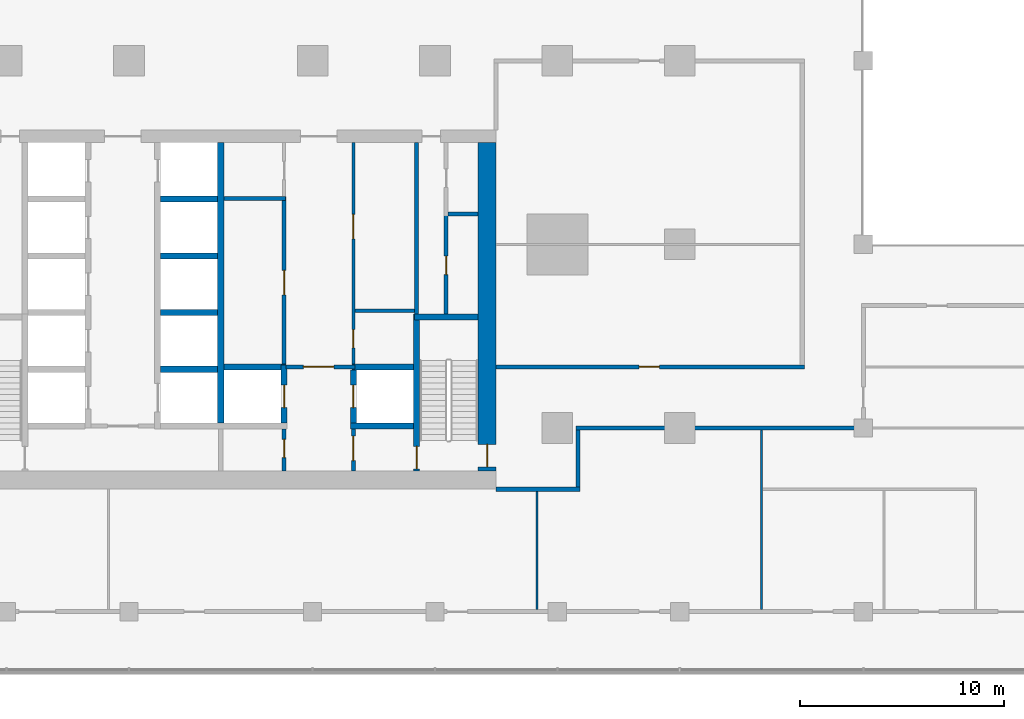
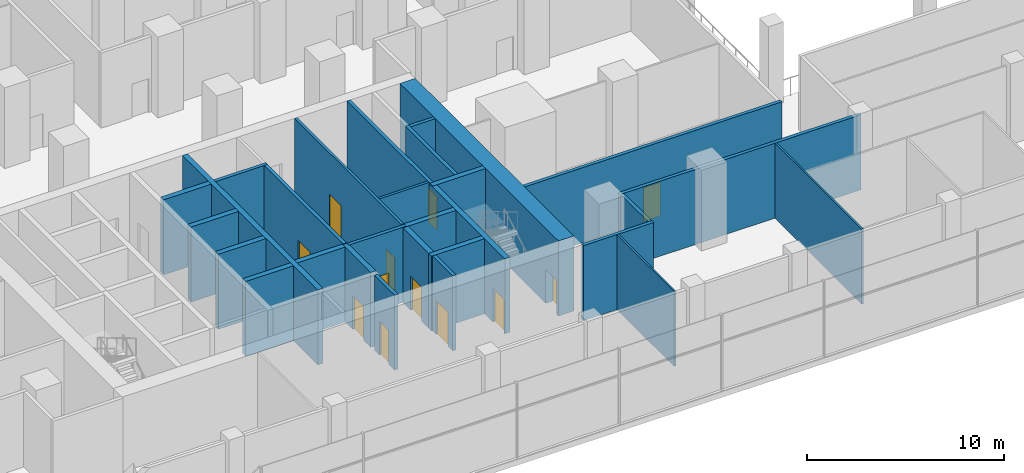
# One storey, part 14 of 22: 29 walls, 12 doors, 12 openings.
"""IFC4 building model written with IfcOpenShell, lengths in metres."""

import ifcopenshell
import ifcopenshell.guid

model = None  # the IFC model being written
_history = None  # IfcOwnerHistory: only IFC2X3 demands one
_inside = {}  # id of a spatial element -> (the spatial element, [elements in it])
_under = {}  # id of a project, library or spatial element -> (it, [spatial elements below it])
_declared = {}  # id of a project -> (the project, [libraries it declares])
_typed = {}  # id of a type object -> (the type object, [elements of that type])
_made_of = {}  # id of a material, layer set ... -> (it, [elements and type objects made of it])


def new_model(schema):
    """Start an empty IFC model of exactly this schema.

    Asked for "IFC4X3", IfcOpenShell would pick the latest addendum, in which some entities
    have other attributes; the version numbers below select the first issue.
    IFC2X3 requires an IfcOwnerHistory on every rooted entity: one is made here for all.
    """
    global model, _history
    if schema == "IFC4X3":
        model = ifcopenshell.file(schema_version=(4, 3, 0, 0))
    else:
        model = ifcopenshell.file(schema=schema)
    _inside.clear()
    _under.clear()
    _declared.clear()
    _typed.clear()
    _made_of.clear()
    _history = None
    if model.schema == "IFC2X3":
        org = make("IfcOrganization", Name="unknown")
        user = make(
            "IfcPersonAndOrganization",
            ThePerson=make("IfcPerson", FamilyName="unknown"),
            TheOrganization=org,
        )
        app = make(
            "IfcApplication",
            ApplicationDeveloper=org,
            Version="unknown",
            ApplicationFullName="unknown",
            ApplicationIdentifier="unknown",
        )
        _history = make(
            "IfcOwnerHistory",
            OwningUser=user,
            OwningApplication=app,
            ChangeAction="ADDED",
            CreationDate=0,
        )
    return model


def make(cls, **values):
    """One entity of the class cls with the attributes given. An attribute that is None is left unset."""
    return model.create_entity(
        cls, **{name: value for name, value in values.items() if value is not None}
    )


def rooted(cls, **values):
    """An entity with a GlobalId (a new one), such as an element, a storey or a relation."""
    return make(cls, GlobalId=ifcopenshell.guid.new(), OwnerHistory=_history, **values)


def si_unit(unit_type, name, prefix=None):
    """IfcSIUnit, for example si_unit("LENGTHUNIT", "METRE", prefix="MILLI")."""
    return make("IfcSIUnit", UnitType=unit_type, Prefix=prefix, Name=name)


def assignment(units):
    """IfcUnitAssignment: the units of a project."""
    return None if units is None else make("IfcUnitAssignment", Units=units)


def point(xyz):
    """IfcCartesianPoint."""
    return None if xyz is None else make("IfcCartesianPoint", Coordinates=xyz)


def direction(xyz):
    """IfcDirection."""
    return None if xyz is None else make("IfcDirection", DirectionRatios=xyz)


def frame(location, z_axis=None, x_axis=None):
    """IfcAxis2Placement3D, a coordinate frame: its origin and axes. An axis left out is left unset."""
    return make(
        "IfcAxis2Placement3D",
        Location=point(location),
        Axis=direction(z_axis),
        RefDirection=direction(x_axis),
    )


def frame_2d(location, x_axis=None):
    """IfcAxis2Placement2D, a coordinate frame in the plane: its origin and x axis."""
    return make(
        "IfcAxis2Placement2D", Location=point(location), RefDirection=direction(x_axis)
    )


def origin():
    """The frame at (0, 0, 0) with its axes left unset."""
    return frame((0.0, 0.0, 0.0))


def place(relative_to, where):
    """IfcLocalPlacement: puts the frame where relative to a parent placement (None: the world)."""
    return make(
        "IfcLocalPlacement", PlacementRelTo=relative_to, RelativePlacement=where
    )


def context(
    kind, dimensions, precision=None, world=None, true_north=None, identifier=None
):
    """IfcGeometricRepresentationContext, for example the 3D "Model" context."""
    return make(
        "IfcGeometricRepresentationContext",
        ContextIdentifier=identifier,
        ContextType=kind,
        CoordinateSpaceDimension=dimensions,
        Precision=precision,
        WorldCoordinateSystem=world,
        TrueNorth=true_north,
    )


def subcontext(parent, identifier, kind, view, scale=None):
    """IfcGeometricRepresentationSubContext, for example "Body" below "Model"."""
    return make(
        "IfcGeometricRepresentationSubContext",
        ContextIdentifier=identifier,
        ContextType=kind,
        ParentContext=parent,
        TargetScale=scale,
        TargetView=view,
    )


def project(units=None, contexts=None):
    """IfcProject with its units and contexts."""
    return rooted(
        "IfcProject",
        Name="project",
        RepresentationContexts=contexts,
        UnitsInContext=assignment(units),
    )


def spatial(cls, under=None, at=None, **own):
    """A site, building, storey or space (cls), placed at a placement, below another one or the project."""
    s = rooted(cls, ObjectPlacement=at, **own)
    if under is not None:
        _under.setdefault(under.id(), (under, []))[1].append(s)
    return s


def profile(cls, at=None, kind="AREA", **sizes):
    """A parametric profile (cls). Its sizes go by their IFC names, for example OverallWidth=200.0."""
    return make(cls, ProfileType=kind, Position=at, **sizes)


def rectangle(**sizes):
    """IfcRectangleProfileDef."""
    return profile("IfcRectangleProfileDef", **sizes)


def extrude(swept, where, along, depth):
    """IfcExtrudedAreaSolid: the profile swept, set in the frame where, extruded along a direction by depth."""
    return make(
        "IfcExtrudedAreaSolid",
        SweptArea=swept,
        Position=where,
        ExtrudedDirection=direction(along),
        Depth=depth,
    )


def shape(context_of_items, identifier, shape_type, items):
    """IfcShapeRepresentation: the items that make up one representation, for example the "Body"."""
    return make(
        "IfcShapeRepresentation",
        ContextOfItems=context_of_items,
        RepresentationIdentifier=identifier,
        RepresentationType=shape_type,
        Items=items,
    )


def material(Name=None, Category=None):
    """IfcMaterial."""
    return make("IfcMaterial", Name=Name, Category=Category)


def layer(
    of_material, thickness, ventilated=None, Name=None, Category=None, Priority=None
):
    """IfcMaterialLayer: one layer of a wall or slab, of a material (None: an air gap)."""
    return make(
        "IfcMaterialLayer",
        Material=of_material,
        LayerThickness=thickness,
        IsVentilated=ventilated,
        Name=Name,
        Category=Category,
        Priority=Priority,
    )


def layer_set(layers, Name=None):
    """IfcMaterialLayerSet."""
    return make("IfcMaterialLayerSet", MaterialLayers=layers, LayerSetName=Name)


def made_of(thing, what):
    """Note that an element or type object is made of a material, layer set ...; save() writes the relation."""
    if what is not None:
        _made_of.setdefault(what.id(), (what, []))[1].append(thing)
    return thing


def type_object(cls, material=None, **own):
    """A type object (cls), such as IfcWallType, which elements share."""
    return made_of(rooted(cls, **own), material)


def element(
    cls,
    number,
    at=None,
    inside=None,
    cuts=None,
    type_object=None,
    material=None,
    context=None,
    identifier="Body",
    shape_type=None,
    held_by="IfcProductDefinitionShape",
    body=None,
    shapes=None,
    **own,
):
    """One element of the class cls, such as IfcWall. Its Tag is "e" and its number.

    at: its placement. inside: the storey or other place that contains it. cuts: it is an
    opening in that element (IfcRelVoidsElement). A single representation is given by context,
    identifier, shape_type and body (its items); several are given by shapes. held_by: the class
    of the entity that holds the representations. save() writes the other relations.
    """
    e = rooted(cls, Tag="e%d" % number, ObjectPlacement=at, **own)
    if body is not None:
        shapes = [shape(context, identifier, shape_type, body)]
    if shapes is not None:
        e.Representation = make(held_by, Representations=shapes)
    if inside is not None:
        _inside.setdefault(inside.id(), (inside, []))[1].append(e)
    if cuts is not None:
        rooted(
            "IfcRelVoidsElement", RelatingBuildingElement=cuts, RelatedOpeningElement=e
        )
    if type_object is not None:
        _typed.setdefault(type_object.id(), (type_object, []))[1].append(e)
    return made_of(e, material)


def fill(opening, filler):
    """IfcRelFillsElement: the door or window that sits in an opening."""
    return rooted(
        "IfcRelFillsElement",
        RelatingOpeningElement=opening,
        RelatedBuildingElement=filler,
    )


def aggregate(whole, parts):
    """IfcRelAggregates: a whole, such as a stair, and the parts it consists of."""
    return rooted("IfcRelAggregates", RelatingObject=whole, RelatedObjects=parts)


def save(model, path):
    """Write the relations noted so far, then the file.

    IfcRelAggregates (storeys below a building ...), IfcRelContainedInSpatialStructure (elements
    in a storey), IfcRelDefinesByType, IfcRelAssociatesMaterial and IfcRelDeclares: one each for
    every whole, place, type object, material and project.
    """
    for whole, parts in _under.values():
        aggregate(whole, parts)
    for where, things in _inside.values():
        rooted(
            "IfcRelContainedInSpatialStructure",
            RelatedElements=things,
            RelatingStructure=where,
        )
    for kind, things in _typed.values():
        rooted("IfcRelDefinesByType", RelatedObjects=things, RelatingType=kind)
    for what, things in _made_of.values():
        rooted("IfcRelAssociatesMaterial", RelatedObjects=things, RelatingMaterial=what)
    for by, libraries in _declared.values():
        rooted("IfcRelDeclares", RelatingContext=by, RelatedDefinitions=libraries)
    model.write(path)


model = new_model("IFC4")

# Units and contexts
model_context = context("Model", 3, precision=1e-05, world=origin(), true_north=direction((0.0, 1.0)))
body_context = subcontext(model_context, "Body", "Model", "MODEL_VIEW")
ifc_project = project(units=[si_unit("LENGTHUNIT", "METRE"), si_unit("AREAUNIT", "SQUARE_METRE"), si_unit("VOLUMEUNIT", "CUBIC_METRE"), si_unit("PLANEANGLEUNIT", "RADIAN"), si_unit("MASSUNIT", "GRAM", prefix="KILO")], contexts=[model_context])

# Site, building, storey
site_placement = place(None, origin())
site = spatial("IfcSite", under=ifc_project, at=site_placement, CompositionType="ELEMENT")
building_placement = place(site_placement, origin())
building = spatial("IfcBuilding", under=site, at=building_placement, Name="Finial Court Residences", CompositionType="ELEMENT")
storey_placement = place(building_placement, frame((0.0, 0.0, 13.5)))
storey = spatial("IfcBuildingStorey", under=building, at=storey_placement, Name="L02", CompositionType="ELEMENT", Elevation=13.5)

# Wall, opening, door
ifc_material_1 = material(Name="Concrete C80/95", Category="concrete")
ifc_layer_1 = layer(ifc_material_1, 0.89990234375)
ifc_layer_set_1 = layer_set([ifc_layer_1], Name="Core outer wall 900 Concrete C80/95")
wall_type_1 = type_object("IfcWallType", Name="Core outer wall 900 Concrete C80/95", PredefinedType="SHEAR", material=ifc_layer_set_1)
wall_1_placement = place(storey_placement, frame((13.050048828125, -24.60009765625, 0.0), z_axis=(0.0, 0.0, 1.0), x_axis=(0.0, 1.0, 0.0)))
wall_1 = element("IfcWall", 1, at=wall_1_placement, inside=storey, type_object=wall_type_1, Name="Core outer wall L02-04", PredefinedType="SHEAR", context=body_context, shape_type="SweptSolid", body=[
    extrude(rectangle(XDim=16.10009765625, YDim=0.89990234375, at=frame_2d((8.050048828125, 0.0))), origin(), (0.0, 0.0, 1.0), 4.64990234375),
])
opening_1_placement = place(wall_1_placement, frame((0.199951171875, 0.0, 0.0)))
opening_1 = element("IfcOpeningElement", 2, at=opening_1_placement, cuts=wall_1, Name="Opening L02-C20", PredefinedType="OPENING", context=body_context, shape_type="SweptSolid", body=[
    extrude(rectangle(XDim=1.10009765625, YDim=2.10009765625, at=frame_2d((0.550048828125, 1.050048828125))), frame((0.0, 0.4599609375, 0.0), z_axis=(0.0, -1.0, 0.0), x_axis=(1.0, 0.0, 0.0)), (0.0, 0.0, 1.0), 0.919921875),
])
ifc_material_2 = material(Name="Steel fire door", Category="steel")
door_type_1 = type_object("IfcDoorType", Name="Stair door 1100 x 2100 EI 90", OperationType="NOTDEFINED", PredefinedType="DOOR", material=ifc_material_2)
door_1_placement = place(opening_1_placement, origin())
door_1 = element("IfcDoor", 3, at=door_1_placement, inside=storey, type_object=door_type_1, Name="Stair door L02-C20", OperationType="SINGLE_SWING_LEFT", OverallHeight=2.10009765625, OverallWidth=1.10009765625, PredefinedType="DOOR", context=body_context, shape_type="SweptSolid", body=[
    extrude(rectangle(XDim=1.10009765625, YDim=2.10009765625, at=frame_2d((0.550048828125, 1.050048828125))), frame((0.0, 0.02490234375, 0.0), z_axis=(0.0, -1.0, 0.0), x_axis=(1.0, 0.0, 0.0)), (0.0, 0.0, 1.0), 0.050048828125),
])
fill(opening_1, door_1)

# Wall
ifc_material_3 = material(Name="Fire-rated gypsum board partition")
ifc_layer_2 = layer(ifc_material_3, 0.14990234375)
ifc_layer_set_2 = layer_set([ifc_layer_2], Name="Core room partition 150 EI 60")
wall_type_2 = type_object("IfcWallType", Name="Core room partition 150 EI 60", PredefinedType="PARTITIONING", material=ifc_layer_set_2)
wall_2_placement = place(storey_placement, frame((6.574951171875, -16.75, 0.0), z_axis=(0.0, 0.0, 1.0), x_axis=(1.0, 0.0, 0.0)))
element("IfcWall", 4, at=wall_2_placement, inside=storey, type_object=wall_type_2, Name="Core partition L02-14", PredefinedType="PARTITIONING", context=body_context, shape_type="SweptSolid", body=[
    extrude(rectangle(XDim=2.925048828125, YDim=0.14990234375, at=frame_2d((1.46240234375, 0.0))), origin(), (0.0, 0.0, 1.0), 4.64990234375),
])

# Wall, openings, doors
wall_3_placement = place(storey_placement, frame((6.5, -8.5, 0.0), z_axis=(0.0, 0.0, 1.0), x_axis=(0.0, -1.0, 0.0)))
wall_3 = element("IfcWall", 5, at=wall_3_placement, inside=storey, type_object=wall_type_2, Name="Core partition L02-36", PredefinedType="PARTITIONING", context=body_context, shape_type="SweptSolid", body=[
    extrude(rectangle(XDim=10.85009765625, YDim=0.14990234375, at=frame_2d((5.425048828125, 0.0))), origin(), (0.0, 0.0, 1.0), 4.64990234375),
])
opening_2_placement = place(wall_3_placement, frame((9.175048828125, 0.0, 0.0)))
opening_2 = element("IfcOpeningElement", 6, at=opening_2_placement, cuts=wall_3, Name="Opening L02-C15", PredefinedType="OPENING", context=body_context, shape_type="SweptSolid", body=[
    extrude(rectangle(XDim=0.89990234375, YDim=2.10009765625, at=frame_2d((0.449951171875, 1.050048828125))), frame((0.0, 0.0849609375, 0.0), z_axis=(0.0, -1.0, 0.0), x_axis=(1.0, 0.0, 0.0)), (0.0, 0.0, 1.0), 0.169921875),
])
opening_3_placement = place(wall_3_placement, frame((3.52490234375, 0.0, 0.0)))
opening_3 = element("IfcOpeningElement", 7, at=opening_3_placement, cuts=wall_3, Name="Opening L02-C16", PredefinedType="OPENING", context=body_context, shape_type="SweptSolid", body=[
    extrude(rectangle(XDim=1.199951171875, YDim=2.10009765625, at=frame_2d((0.60009765625, 1.050048828125))), frame((0.0, 0.0849609375, 0.0), z_axis=(0.0, -1.0, 0.0), x_axis=(1.0, 0.0, 0.0)), (0.0, 0.0, 1.0), 0.169921875),
])
door_type_2 = type_object("IfcDoorType", Name="Core room door 1200 x 2100 EI 60", OperationType="NOTDEFINED", PredefinedType="DOOR", material=ifc_material_2)
door_2_placement = place(opening_3_placement, origin())
door_2 = element("IfcDoor", 8, at=door_2_placement, inside=storey, type_object=door_type_2, Name="Core room door L02-C16", OperationType="SINGLE_SWING_RIGHT", OverallHeight=2.10009765625, OverallWidth=1.199951171875, PredefinedType="DOOR", context=body_context, shape_type="SweptSolid", body=[
    extrude(rectangle(XDim=1.199951171875, YDim=2.10009765625, at=frame_2d((0.60009765625, 1.050048828125))), frame((0.0, 0.02490234375, 0.0), z_axis=(0.0, -1.0, 0.0), x_axis=(1.0, 0.0, 0.0)), (0.0, 0.0, 1.0), 0.050048828125),
])
fill(opening_3, door_2)
door_type_3 = type_object("IfcDoorType", Name="Core room door 900 x 2100 EI 60", OperationType="NOTDEFINED", PredefinedType="DOOR", material=ifc_material_2)
door_3_placement = place(opening_2_placement, origin())
door_3 = element("IfcDoor", 9, at=door_3_placement, inside=storey, type_object=door_type_3, Name="Core room door L02-C15", OperationType="SINGLE_SWING_RIGHT", OverallHeight=2.10009765625, OverallWidth=0.89990234375, PredefinedType="DOOR", context=body_context, shape_type="SweptSolid", body=[
    extrude(rectangle(XDim=0.89990234375, YDim=2.10009765625, at=frame_2d((0.449951171875, 1.050048828125))), frame((0.0, 0.02490234375, 0.0), z_axis=(0.0, -1.0, 0.0), x_axis=(1.0, 0.0, 0.0)), (0.0, 0.0, 1.0), 0.050048828125),
])
fill(opening_2, door_3)

# Walls
ifc_material_4 = material(Name="Gypsum board")
ifc_layer_3 = layer(ifc_material_4, 0.02490234375)
ifc_material_5 = material(Name="Acoustic mineral wool in double frame")
ifc_layer_4 = layer(ifc_material_5, 0.14990234375)
ifc_layer_5 = layer(ifc_material_4, 0.02490234375)
ifc_layer_set_3 = layer_set([ifc_layer_3, ifc_layer_4, ifc_layer_5], Name="Corridor wall 200, 1 hour")
wall_type_3 = type_object("IfcWallType", Name="Corridor wall 200, 1 hour", PredefinedType="PARTITIONING", material=ifc_layer_set_3)
wall_4_placement = place(storey_placement, frame((13.5, -25.5, 0.0), z_axis=(0.0, 0.0, 1.0), x_axis=(1.0, 0.0, 0.0)))
element("IfcWall", 10, at=wall_4_placement, inside=storey, type_object=wall_type_3, Name="Partition L02-004", PredefinedType="PARTITIONING", context=body_context, shape_type="SweptSolid", body=[
    extrude(rectangle(XDim=4.10009765625, YDim=0.199951171875, at=frame_2d((2.050048828125, 0.0))), origin(), (0.0, 0.0, 1.0), 4.64990234375),
])
wall_5_placement = place(storey_placement, frame((17.39990234375, -22.5, 0.0), z_axis=(0.0, 0.0, 1.0), x_axis=(1.0, 0.0, 0.0)))
element("IfcWall", 11, at=wall_5_placement, inside=storey, type_object=wall_type_3, Name="Partition L02-007", PredefinedType="PARTITIONING", context=body_context, shape_type="SweptSolid", body=[
    extrude(rectangle(XDim=14.10009765625, YDim=0.199951171875, at=frame_2d((7.050048828125, 0.0))), origin(), (0.0, 0.0, 1.0), 4.64990234375),
])

# Wall, opening, door
wall_6_placement = place(storey_placement, frame((13.5, -19.5, 0.0), z_axis=(0.0, 0.0, 1.0), x_axis=(1.0, 0.0, 0.0)))
wall_6 = element("IfcWall", 12, at=wall_6_placement, inside=storey, type_object=wall_type_3, Name="Partition L02-010", PredefinedType="PARTITIONING", context=body_context, shape_type="SweptSolid", body=[
    extrude(rectangle(XDim=15.10009765625, YDim=0.199951171875, at=frame_2d((7.550048828125, 0.0))), origin(), (0.0, 0.0, 1.0), 4.64990234375),
])
opening_4_placement = place(wall_6_placement, frame((7.0, 0.0, 0.0)))
opening_4 = element("IfcOpeningElement", 13, at=opening_4_placement, cuts=wall_6, Name="Opening L02-D012", PredefinedType="OPENING", context=body_context, shape_type="SweptSolid", body=[
    extrude(rectangle(XDim=1.0, YDim=2.10009765625, at=frame_2d((0.5, 1.050048828125))), frame((0.0, 0.10986328125, 0.0), z_axis=(0.0, -1.0, 0.0), x_axis=(1.0, 0.0, 0.0)), (0.0, 0.0, 1.0), 0.219970703125),
])
ifc_material_6 = material(Name="Timber door leaf in hollow metal frame", Category="wood")
door_type_4 = type_object("IfcDoorType", Name="Fire door set 1000 x 2100, 30 minutes", OperationType="SINGLE_SWING_LEFT", PredefinedType="DOOR", material=ifc_material_6)
door_4_placement = place(opening_4_placement, origin())
door_4 = element("IfcDoor", 14, at=door_4_placement, inside=storey, type_object=door_type_4, Name="Door L02-D012", OperationType="SINGLE_SWING_RIGHT", OverallHeight=2.10009765625, OverallWidth=1.0, PredefinedType="DOOR", context=body_context, shape_type="SweptSolid", body=[
    extrude(rectangle(XDim=1.0, YDim=2.10009765625, at=frame_2d((0.5, 1.050048828125))), frame((0.0, 0.02490234375, 0.0), z_axis=(0.0, -1.0, 0.0), x_axis=(1.0, 0.0, 0.0)), (0.0, 0.0, 1.0), 0.050048828125),
])
fill(opening_4, door_4)

# Wall
wall_7_placement = place(storey_placement, frame((17.5, -25.39990234375, 0.0), z_axis=(0.0, 0.0, 1.0), x_axis=(0.0, 1.0, 0.0)))
element("IfcWall", 15, at=wall_7_placement, inside=storey, type_object=wall_type_3, Name="Partition L02-058", PredefinedType="PARTITIONING", context=body_context, shape_type="SweptSolid", body=[
    extrude(rectangle(XDim=2.7998046875, YDim=0.199951171875, at=frame_2d((1.39990234375, 0.0))), origin(), (0.0, 0.0, 1.0), 4.64990234375),
])

# Wall, opening, door
ifc_layer_6 = layer(ifc_material_3, 0.199951171875)
ifc_layer_set_4 = layer_set([ifc_layer_6], Name="Firefighting lobby wall 200 EI 120")
wall_type_4 = type_object("IfcWallType", Name="Firefighting lobby wall 200 EI 120", PredefinedType="PARTITIONING", material=ifc_layer_set_4)
wall_8_placement = place(storey_placement, frame((6.574951171875, -19.5, 0.0), z_axis=(0.0, 0.0, 1.0), x_axis=(-1.0, 0.0, 0.0)))
wall_8 = element("IfcWall", 16, at=wall_8_placement, inside=storey, type_object=wall_type_4, Name="Core partition L02-08", PredefinedType="PARTITIONING", context=body_context, shape_type="SweptSolid", body=[
    extrude(rectangle(XDim=3.375, YDim=0.199951171875, at=frame_2d((1.6875, 0.0))), origin(), (0.0, 0.0, 1.0), 4.64990234375),
])
opening_5_placement = place(wall_8_placement, frame((1.02490234375, 0.0, 0.0)))
opening_5 = element("IfcOpeningElement", 17, at=opening_5_placement, cuts=wall_8, Name="Opening L02-C02", PredefinedType="OPENING", context=body_context, shape_type="SweptSolid", body=[
    extrude(rectangle(XDim=1.5, YDim=2.10009765625, at=frame_2d((0.75, 1.050048828125))), frame((0.0, 0.10986328125, 0.0), z_axis=(0.0, -1.0, 0.0), x_axis=(1.0, 0.0, 0.0)), (0.0, 0.0, 1.0), 0.219970703125),
])
door_type_5 = type_object("IfcDoorType", Name="Firefighting lobby door 1500 x 2100 EI 90", OperationType="DOUBLE_DOOR_SINGLE_SWING", PredefinedType="DOOR", material=ifc_material_2)
door_5_placement = place(opening_5_placement, origin())
door_5 = element("IfcDoor", 18, at=door_5_placement, inside=storey, type_object=door_type_5, Name="Firefighting lobby door L02-C02", OperationType="DOUBLE_DOOR_SINGLE_SWING", OverallHeight=2.10009765625, OverallWidth=1.5, PredefinedType="DOOR", context=body_context, shape_type="SweptSolid", body=[
    extrude(rectangle(XDim=1.5, YDim=2.10009765625, at=frame_2d((0.75, 1.050048828125))), frame((0.0, 0.02490234375, 0.0), z_axis=(0.0, -1.0, 0.0), x_axis=(1.0, 0.0, 0.0)), (0.0, 0.0, 1.0), 0.050048828125),
])
fill(opening_5, door_5)

wall_9_placement = place(storey_placement, frame((3.10009765625, -24.60009765625, 0.0), z_axis=(0.0, 0.0, 1.0), x_axis=(0.0, 1.0, 0.0)))
wall_9 = element("IfcWall", 19, at=wall_9_placement, inside=storey, type_object=wall_type_4, Name="Core partition L02-30", PredefinedType="PARTITIONING", context=body_context, shape_type="SweptSolid", body=[
    extrude(rectangle(XDim=2.050048828125, YDim=0.199951171875, at=frame_2d((1.02490234375, 0.0))), origin(), (0.0, 0.0, 1.0), 4.64990234375),
])
opening_6_placement = place(wall_9_placement, frame((0.64990234375, 0.0, 0.0)))
opening_6 = element("IfcOpeningElement", 20, at=opening_6_placement, cuts=wall_9, Name="Opening L02-C06", PredefinedType="OPENING", context=body_context, shape_type="SweptSolid", body=[
    extrude(rectangle(XDim=0.89990234375, YDim=2.10009765625, at=frame_2d((0.449951171875, 1.050048828125))), frame((0.0, 0.10986328125, 0.0), z_axis=(0.0, -1.0, 0.0), x_axis=(1.0, 0.0, 0.0)), (0.0, 0.0, 1.0), 0.219970703125),
])
door_type_6 = type_object("IfcDoorType", Name="Riser room door 900 x 2100 EI 90", OperationType="NOTDEFINED", PredefinedType="DOOR", material=ifc_material_2)
door_6_placement = place(opening_6_placement, origin())
door_6 = element("IfcDoor", 21, at=door_6_placement, inside=storey, type_object=door_type_6, Name="Riser room door L02-C06", OperationType="SINGLE_SWING_LEFT", OverallHeight=2.10009765625, OverallWidth=0.89990234375, PredefinedType="DOOR", context=body_context, shape_type="SweptSolid", body=[
    extrude(rectangle(XDim=0.89990234375, YDim=2.10009765625, at=frame_2d((0.449951171875, 1.050048828125))), frame((0.0, 0.02490234375, 0.0), z_axis=(0.0, -1.0, 0.0), x_axis=(1.0, 0.0, 0.0)), (0.0, 0.0, 1.0), 0.050048828125),
])
fill(opening_6, door_6)

wall_10_placement = place(storey_placement, frame((6.5, -22.550048828125, 0.0), z_axis=(0.0, 0.0, 1.0), x_axis=(0.0, -1.0, 0.0)))
wall_10 = element("IfcWall", 22, at=wall_10_placement, inside=storey, type_object=wall_type_4, Name="Core partition L02-34", PredefinedType="PARTITIONING", context=body_context, shape_type="SweptSolid", body=[
    extrude(rectangle(XDim=2.050048828125, YDim=0.199951171875, at=frame_2d((1.02490234375, 0.0))), origin(), (0.0, 0.0, 1.0), 4.64990234375),
])
opening_7_placement = place(wall_10_placement, frame((0.35009765625, 0.0, 0.0)))
opening_7 = element("IfcOpeningElement", 23, at=opening_7_placement, cuts=wall_10, Name="Opening L02-C01", PredefinedType="OPENING", context=body_context, shape_type="SweptSolid", body=[
    extrude(rectangle(XDim=1.199951171875, YDim=2.10009765625, at=frame_2d((0.60009765625, 1.050048828125))), frame((0.0, 0.10986328125, 0.0), z_axis=(0.0, -1.0, 0.0), x_axis=(1.0, 0.0, 0.0)), (0.0, 0.0, 1.0), 0.219970703125),
])
door_type_7 = type_object("IfcDoorType", Name="Firefighting lobby door 1200 x 2100 EI 90", OperationType="NOTDEFINED", PredefinedType="DOOR", material=ifc_material_2)
door_7_placement = place(opening_7_placement, origin())
door_7 = element("IfcDoor", 24, at=door_7_placement, inside=storey, type_object=door_type_7, Name="Firefighting lobby door L02-C01", OperationType="SINGLE_SWING_RIGHT", OverallHeight=2.10009765625, OverallWidth=1.199951171875, PredefinedType="DOOR", context=body_context, shape_type="SweptSolid", body=[
    extrude(rectangle(XDim=1.199951171875, YDim=2.10009765625, at=frame_2d((0.60009765625, 1.050048828125))), frame((0.0, 0.02490234375, 0.0), z_axis=(0.0, -1.0, 0.0), x_axis=(1.0, 0.0, 0.0)), (0.0, 0.0, 1.0), 0.050048828125),
])
fill(opening_7, door_7)

# Walls
ifc_layer_7 = layer(ifc_material_4, 0.012451171875)
ifc_material_7 = material(Name="Mineral wool in light-gauge frame")
ifc_layer_8 = layer(ifc_material_7, 0.074951171875)
ifc_layer_9 = layer(ifc_material_4, 0.012451171875)
ifc_layer_set_5 = layer_set([ifc_layer_7, ifc_layer_8, ifc_layer_9], Name="Gypsum board partition 100")
wall_type_5 = type_object("IfcWallType", Name="Gypsum board partition 100", PredefinedType="PARTITIONING", material=ifc_layer_set_5)
wall_11_placement = place(storey_placement, frame((15.5, -31.39990234375, 0.0), z_axis=(0.0, 0.0, 1.0), x_axis=(0.0, 1.0, 0.0)))
element("IfcWall", 25, at=wall_11_placement, inside=storey, type_object=wall_type_5, Name="Partition L02-056", PredefinedType="PARTITIONING", context=body_context, shape_type="SweptSolid", body=[
    extrude(rectangle(XDim=5.7998046875, YDim=0.10009765625, at=frame_2d((2.89990234375, 0.0))), origin(), (0.0, 0.0, 1.0), 4.64990234375),
])
wall_12_placement = place(storey_placement, frame((26.5, -31.39990234375, 0.0), z_axis=(0.0, 0.0, 1.0), x_axis=(0.0, 1.0, 0.0)))
element("IfcWall", 26, at=wall_12_placement, inside=storey, type_object=wall_type_5, Name="Partition L02-061", PredefinedType="PARTITIONING", context=body_context, shape_type="SweptSolid", body=[
    extrude(rectangle(XDim=8.7998046875, YDim=0.10009765625, at=frame_2d((4.39990234375, 0.0))), origin(), (0.0, 0.0, 1.0), 4.64990234375),
])
ifc_layer_10 = layer(ifc_material_1, 0.300048828125)
ifc_layer_set_6 = layer_set([ifc_layer_10], Name="Lift shaft and stair wall 300 Concrete C80/95")
wall_type_6 = type_object("IfcWallType", Name="Lift shaft and stair wall 300 Concrete C80/95", PredefinedType="SHEAR", material=ifc_layer_set_6)
wall_13_placement = place(storey_placement, frame((6.35009765625, -22.39990234375, 0.0), z_axis=(0.0, 0.0, 1.0), x_axis=(1.0, 0.0, 0.0)))
element("IfcWall", 27, at=wall_13_placement, inside=storey, type_object=wall_type_6, Name="Core wall L02-04", PredefinedType="SHEAR", context=body_context, shape_type="SweptSolid", body=[
    extrude(rectangle(XDim=3.099853515625, YDim=0.300048828125, at=frame_2d((1.5498046875, 0.0))), origin(), (0.0, 0.0, 1.0), 4.64990234375),
])
wall_14_placement = place(storey_placement, frame((-2.949951171875, -19.6201171875, 0.0), z_axis=(0.0, 0.0, 1.0), x_axis=(1.0, 0.0, 0.0)))
element("IfcWall", 28, at=wall_14_placement, inside=storey, type_object=wall_type_6, Name="Core wall L02-06", PredefinedType="SHEAR", context=body_context, shape_type="SweptSolid", body=[
    extrude(rectangle(XDim=2.800048828125, YDim=0.300048828125, at=frame_2d((1.39990234375, 0.0))), origin(), (0.0, 0.0, 1.0), 4.64990234375),
])
wall_15_placement = place(storey_placement, frame((0.14990234375, -19.5, 0.0), z_axis=(0.0, 0.0, 1.0), x_axis=(1.0, 0.0, 0.0)))
element("IfcWall", 29, at=wall_15_placement, inside=storey, type_object=wall_type_6, Name="Core wall L02-07", PredefinedType="SHEAR", context=body_context, shape_type="SweptSolid", body=[
    extrude(rectangle(XDim=3.050048828125, YDim=0.300048828125, at=frame_2d((1.52490234375, 0.0))), origin(), (0.0, 0.0, 1.0), 4.64990234375),
])
wall_16_placement = place(storey_placement, frame((6.425048828125, -19.5, 0.0), z_axis=(0.0, 0.0, 1.0), x_axis=(1.0, 0.0, 0.0)))
element("IfcWall", 30, at=wall_16_placement, inside=storey, type_object=wall_type_6, Name="Core wall L02-09", PredefinedType="SHEAR", context=body_context, shape_type="SweptSolid", body=[
    extrude(rectangle(XDim=3.02490234375, YDim=0.300048828125, at=frame_2d((1.512451171875, 0.0))), origin(), (0.0, 0.0, 1.0), 4.64990234375),
])
wall_17_placement = place(storey_placement, frame((9.5, -17.050048828125, 0.0), z_axis=(0.0, 0.0, 1.0), x_axis=(1.0, 0.0, 0.0)))
element("IfcWall", 31, at=wall_17_placement, inside=storey, type_object=wall_type_6, Name="Core wall L02-11", PredefinedType="SHEAR", context=body_context, shape_type="SweptSolid", body=[
    extrude(rectangle(XDim=3.10009765625, YDim=0.300048828125, at=frame_2d((1.550048828125, 0.0))), origin(), (0.0, 0.0, 1.0), 4.64990234375),
])
for number, where, z_axis, x_axis, name in (
    (32, (-2.949951171875, -16.840087890625, 0.0), (0.0, 0.0, 1.0), (1.0, 0.0, 0.0), "Core wall L02-13"),
    (33, (-2.949951171875, -14.06005859375, 0.0), (0.0, 0.0, 1.0), (1.0, 0.0, 0.0), "Core wall L02-17"),
    (34, (-2.949951171875, -11.280029296875, 0.0), (0.0, 0.0, 1.0), (1.0, 0.0, 0.0), "Core wall L02-20"),
):
    element("IfcWall", number, at=place(storey_placement, frame(where, z_axis=z_axis, x_axis=x_axis)), inside=storey, type_object=wall_type_6, Name=name, PredefinedType="SHEAR", context=body_context, shape_type="SweptSolid", body=[
        extrude(rectangle(XDim=2.800048828125, YDim=0.300048828125, at=frame_2d((1.39990234375, 0.0))), origin(), (0.0, 0.0, 1.0), 4.64990234375),
    ])
wall_18_placement = place(storey_placement, frame((0.0, -22.25, 0.0), z_axis=(0.0, 0.0, 1.0), x_axis=(0.0, 1.0, 0.0)))
element("IfcWall", 35, at=wall_18_placement, inside=storey, type_object=wall_type_6, Name="Core wall L02-29", PredefinedType="SHEAR", context=body_context, shape_type="SweptSolid", body=[
    extrude(rectangle(XDim=13.75, YDim=0.300048828125, at=frame_2d((6.875, 0.0))), origin(), (0.0, 0.0, 1.0), 4.64990234375),
])

# Wall, opening, door
wall_19_placement = place(storey_placement, frame((3.10009765625, -22.25, 0.0), z_axis=(0.0, 0.0, 1.0), x_axis=(0.0, 1.0, 0.0)))
wall_19 = element("IfcWall", 36, at=wall_19_placement, inside=storey, type_object=wall_type_6, Name="Core wall L02-31", PredefinedType="SHEAR", context=body_context, shape_type="SweptSolid", body=[
    extrude(rectangle(XDim=2.85009765625, YDim=0.300048828125, at=frame_2d((1.425048828125, 0.0))), origin(), (0.0, 0.0, 1.0), 4.64990234375),
])
opening_8_placement = place(wall_19_placement, frame((0.75, 0.0, 0.0)))
opening_8 = element("IfcOpeningElement", 37, at=opening_8_placement, cuts=wall_19, Name="Opening L02-LD01", PredefinedType="OPENING", context=body_context, shape_type="SweptSolid", body=[
    extrude(rectangle(XDim=1.10009765625, YDim=2.10009765625, at=frame_2d((0.550048828125, 1.050048828125))), frame((0.0, 0.159912109375, 0.0), z_axis=(0.0, -1.0, 0.0), x_axis=(1.0, 0.0, 0.0)), (0.0, 0.0, 1.0), 0.320068359375),
])
ifc_material_8 = material(Name="Stainless steel lift door", Category="steel")
door_type_8 = type_object("IfcDoorType", Name="Lift landing door 1100 x 2100 EI 90", OperationType="DOUBLE_DOOR_SLIDING", PredefinedType="DOOR", material=ifc_material_8)
door_8_placement = place(opening_8_placement, origin())
door_8 = element("IfcDoor", 38, at=door_8_placement, inside=storey, type_object=door_type_8, Name="Lift landing door FF1 L02", OperationType="DOUBLE_DOOR_SLIDING", OverallHeight=2.10009765625, OverallWidth=1.10009765625, PredefinedType="DOOR", context=body_context, shape_type="SweptSolid", body=[
    extrude(rectangle(XDim=1.10009765625, YDim=2.10009765625, at=frame_2d((0.550048828125, 1.050048828125))), frame((0.0, 0.02490234375, 0.0), z_axis=(0.0, -1.0, 0.0), x_axis=(1.0, 0.0, 0.0)), (0.0, 0.0, 1.0), 0.050048828125),
])
fill(opening_8, door_8)

wall_20_placement = place(storey_placement, frame((6.5, -22.25, 0.0), z_axis=(0.0, 0.0, 1.0), x_axis=(0.0, 1.0, 0.0)))
wall_20 = element("IfcWall", 39, at=wall_20_placement, inside=storey, type_object=wall_type_6, Name="Core wall L02-35", PredefinedType="SHEAR", context=body_context, shape_type="SweptSolid", body=[
    extrude(rectangle(XDim=2.60009765625, YDim=0.300048828125, at=frame_2d((1.300048828125, 0.0))), origin(), (0.0, 0.0, 1.0), 4.64990234375),
])
opening_9_placement = place(wall_20_placement, frame((0.75, 0.0, 0.0)))
opening_9 = element("IfcOpeningElement", 40, at=opening_9_placement, cuts=wall_20, Name="Opening L02-LD02", PredefinedType="OPENING", context=body_context, shape_type="SweptSolid", body=[
    extrude(rectangle(XDim=1.10009765625, YDim=2.10009765625, at=frame_2d((0.550048828125, 1.050048828125))), frame((0.0, 0.159912109375, 0.0), z_axis=(0.0, -1.0, 0.0), x_axis=(1.0, 0.0, 0.0)), (0.0, 0.0, 1.0), 0.320068359375),
])
door_9_placement = place(opening_9_placement, origin())
door_9 = element("IfcDoor", 41, at=door_9_placement, inside=storey, type_object=door_type_8, Name="Lift landing door FF2 L02", OperationType="DOUBLE_DOOR_SLIDING", OverallHeight=2.10009765625, OverallWidth=1.10009765625, PredefinedType="DOOR", context=body_context, shape_type="SweptSolid", body=[
    extrude(rectangle(XDim=1.10009765625, YDim=2.10009765625, at=frame_2d((0.550048828125, 1.050048828125))), frame((0.0, 0.02490234375, 0.0), z_axis=(0.0, -1.0, 0.0), x_axis=(1.0, 0.0, 0.0)), (0.0, 0.0, 1.0), 0.050048828125),
])
fill(opening_9, door_9)

wall_21_placement = place(storey_placement, frame((9.60009765625, -16.89990234375, 0.0), z_axis=(0.0, 0.0, 1.0), x_axis=(0.0, -1.0, 0.0)))
wall_21 = element("IfcWall", 42, at=wall_21_placement, inside=storey, type_object=wall_type_6, Name="Core wall L02-37", PredefinedType="SHEAR", context=body_context, shape_type="SweptSolid", body=[
    extrude(rectangle(XDim=7.7001953125, YDim=0.300048828125, at=frame_2d((3.85009765625, 0.0))), origin(), (0.0, 0.0, 1.0), 4.64990234375),
])
opening_10_placement = place(wall_21_placement, frame((6.5, 0.0, 0.0)))
opening_10 = element("IfcOpeningElement", 43, at=opening_10_placement, cuts=wall_21, Name="Opening L02-C18", PredefinedType="OPENING", context=body_context, shape_type="SweptSolid", body=[
    extrude(rectangle(XDim=1.10009765625, YDim=2.10009765625, at=frame_2d((0.550048828125, 1.050048828125))), frame((0.0, 0.159912109375, 0.0), z_axis=(0.0, -1.0, 0.0), x_axis=(1.0, 0.0, 0.0)), (0.0, 0.0, 1.0), 0.320068359375),
])
door_10_placement = place(opening_10_placement, origin())
door_10 = element("IfcDoor", 44, at=door_10_placement, inside=storey, type_object=door_type_1, Name="Stair door L02-C18", OperationType="SINGLE_SWING_RIGHT", OverallHeight=2.10009765625, OverallWidth=1.10009765625, PredefinedType="DOOR", context=body_context, shape_type="SweptSolid", body=[
    extrude(rectangle(XDim=1.10009765625, YDim=2.10009765625, at=frame_2d((0.550048828125, 1.050048828125))), frame((0.0, 0.02490234375, 0.0), z_axis=(0.0, -1.0, 0.0), x_axis=(1.0, 0.0, 0.0)), (0.0, 0.0, 1.0), 0.050048828125),
])
fill(opening_10, door_10)

# Walls
ifc_layer_11 = layer(ifc_material_3, 0.199951171875)
ifc_layer_set_7 = layer_set([ifc_layer_11], Name="Riser room wall 200 EI 120")
wall_type_7 = type_object("IfcWallType", Name="Riser room wall 200 EI 120", PredefinedType="PARTITIONING", material=ifc_layer_set_7)
wall_22_placement = place(storey_placement, frame((11.14990234375, -12.0, 0.0), z_axis=(0.0, 0.0, 1.0), x_axis=(1.0, 0.0, 0.0)))
element("IfcWall", 45, at=wall_22_placement, inside=storey, type_object=wall_type_7, Name="Core partition L02-18", PredefinedType="PARTITIONING", context=body_context, shape_type="SweptSolid", body=[
    extrude(rectangle(XDim=1.4501953125, YDim=0.199951171875, at=frame_2d((0.72509765625, 0.0))), origin(), (0.0, 0.0, 1.0), 4.64990234375),
])
wall_23_placement = place(storey_placement, frame((0.14990234375, -11.25, 0.0), z_axis=(0.0, 0.0, 1.0), x_axis=(1.0, 0.0, 0.0)))
element("IfcWall", 46, at=wall_23_placement, inside=storey, type_object=wall_type_7, Name="Core partition L02-21", PredefinedType="PARTITIONING", context=body_context, shape_type="SweptSolid", body=[
    extrude(rectangle(XDim=3.025146484375, YDim=0.199951171875, at=frame_2d((1.5126953125, 0.0))), origin(), (0.0, 0.0, 1.0), 4.64990234375),
])

# Wall, opening, door
wall_24_placement = place(storey_placement, frame((3.10009765625, -19.60009765625, 0.0), z_axis=(0.0, 0.0, 1.0), x_axis=(0.0, 1.0, 0.0)))
wall_24 = element("IfcWall", 47, at=wall_24_placement, inside=storey, type_object=wall_type_7, Name="Core partition L02-32", PredefinedType="PARTITIONING", context=body_context, shape_type="SweptSolid", body=[
    extrude(rectangle(XDim=8.4501953125, YDim=0.199951171875, at=frame_2d((4.22509765625, 0.0))), origin(), (0.0, 0.0, 1.0), 4.64990234375),
])
opening_11_placement = place(wall_24_placement, frame((3.625, 0.0, 0.0)))
opening_11 = element("IfcOpeningElement", 48, at=opening_11_placement, cuts=wall_24, Name="Opening L02-C09", PredefinedType="OPENING", context=body_context, shape_type="SweptSolid", body=[
    extrude(rectangle(XDim=1.199951171875, YDim=2.10009765625, at=frame_2d((0.60009765625, 1.050048828125))), frame((0.0, 0.10986328125, 0.0), z_axis=(0.0, -1.0, 0.0), x_axis=(1.0, 0.0, 0.0)), (0.0, 0.0, 1.0), 0.219970703125),
])
door_type_9 = type_object("IfcDoorType", Name="Riser room door 1200 x 2100 EI 90", OperationType="NOTDEFINED", PredefinedType="DOOR", material=ifc_material_2)
door_11_placement = place(opening_11_placement, origin())
door_11 = element("IfcDoor", 49, at=door_11_placement, inside=storey, type_object=door_type_9, Name="Riser room door L02-C09", OperationType="SINGLE_SWING_LEFT", OverallHeight=2.10009765625, OverallWidth=1.199951171875, PredefinedType="DOOR", context=body_context, shape_type="SweptSolid", body=[
    extrude(rectangle(XDim=1.199951171875, YDim=2.10009765625, at=frame_2d((0.60009765625, 1.050048828125))), frame((0.0, 0.02490234375, 0.0), z_axis=(0.0, -1.0, 0.0), x_axis=(1.0, 0.0, 0.0)), (0.0, 0.0, 1.0), 0.050048828125),
])
fill(opening_11, door_11)

# Wall
ifc_layer_12 = layer(ifc_material_3, 0.199951171875)
ifc_layer_set_8 = layer_set([ifc_layer_12], Name="Stair passage wall 200 EI 180")
wall_type_8 = type_object("IfcWallType", Name="Stair passage wall 200 EI 180", PredefinedType="PARTITIONING", material=ifc_layer_set_8)
wall_25_placement = place(storey_placement, frame((9.60009765625, -16.89990234375, 0.0), z_axis=(0.0, 0.0, 1.0), x_axis=(0.0, 1.0, 0.0)))
element("IfcWall", 50, at=wall_25_placement, inside=storey, type_object=wall_type_8, Name="Core partition L02-38", PredefinedType="PARTITIONING", context=body_context, shape_type="SweptSolid", body=[
    extrude(rectangle(XDim=8.39990234375, YDim=0.199951171875, at=frame_2d((4.199951171875, 0.0))), origin(), (0.0, 0.0, 1.0), 4.64990234375),
])

# Wall, opening, door
wall_26_placement = place(storey_placement, frame((11.050048828125, -11.89990234375, 0.0), z_axis=(0.0, 0.0, 1.0), x_axis=(0.0, -1.0, 0.0)))
wall_26 = element("IfcWall", 51, at=wall_26_placement, inside=storey, type_object=wall_type_8, Name="Core partition L02-39", PredefinedType="PARTITIONING", context=body_context, shape_type="SweptSolid", body=[
    extrude(rectangle(XDim=5.0, YDim=0.199951171875, at=frame_2d((2.5, 0.0))), origin(), (0.0, 0.0, 1.0), 4.64990234375),
])
opening_12_placement = place(wall_26_placement, frame((2.175048828125, 0.0, 0.0)))
opening_12 = element("IfcOpeningElement", 52, at=opening_12_placement, cuts=wall_26, Name="Opening L02-C13", PredefinedType="OPENING", context=body_context, shape_type="SweptSolid", body=[
    extrude(rectangle(XDim=0.89990234375, YDim=2.10009765625, at=frame_2d((0.449951171875, 1.050048828125))), frame((0.0, 0.10986328125, 0.0), z_axis=(0.0, -1.0, 0.0), x_axis=(1.0, 0.0, 0.0)), (0.0, 0.0, 1.0), 0.219970703125),
])
door_12_placement = place(opening_12_placement, origin())
door_12 = element("IfcDoor", 53, at=door_12_placement, inside=storey, type_object=door_type_3, Name="Core room door L02-C13", OperationType="SINGLE_SWING_RIGHT", OverallHeight=2.10009765625, OverallWidth=0.89990234375, PredefinedType="DOOR", context=body_context, shape_type="SweptSolid", body=[
    extrude(rectangle(XDim=0.89990234375, YDim=2.10009765625, at=frame_2d((0.449951171875, 1.050048828125))), frame((0.0, 0.02490234375, 0.0), z_axis=(0.0, -1.0, 0.0), x_axis=(1.0, 0.0, 0.0)), (0.0, 0.0, 1.0), 0.050048828125),
])
fill(opening_12, door_12)

save(model, "model.ifc")
